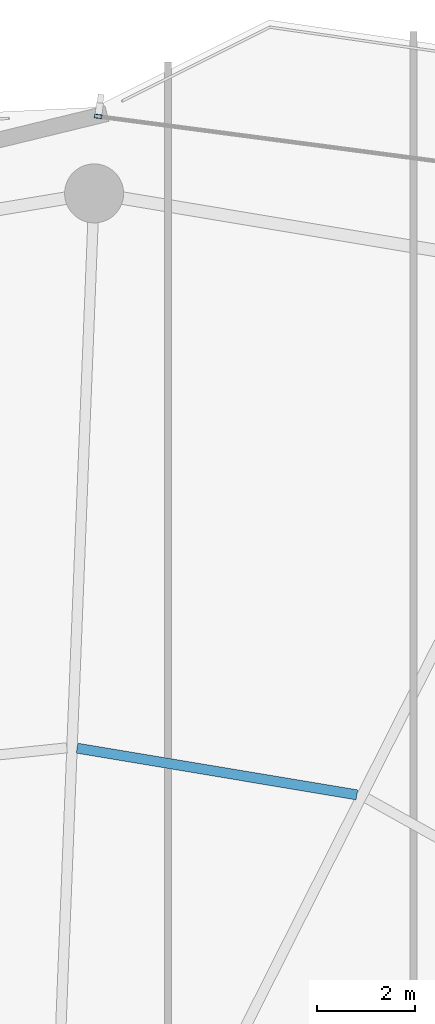
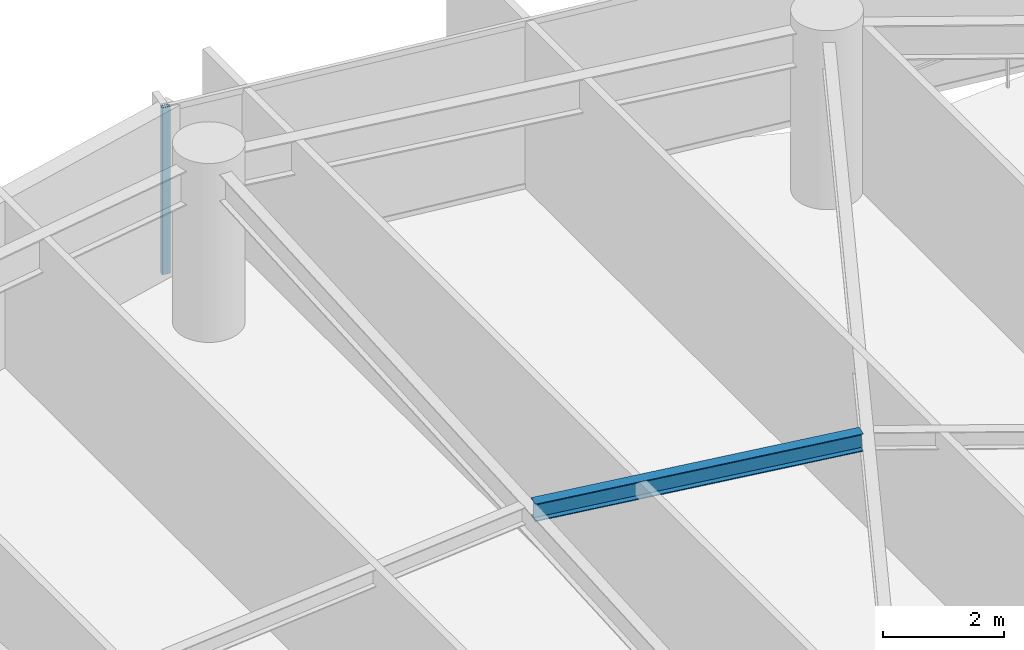
# One storey, part 20 of 30: 1 beam, 1 member, 1 element without a shape of its own.
"""IFC4 building model written with IfcOpenShell, lengths in metres."""

from ifc_helpers import new_model, si_unit, direction, frame, origin, origin_2d, place, context, subcontext, project, spatial, hollow_rectangle, i_section, extrude, material, layer, layer_set, material_profile, profile_set, type_object, element, aggregate, save


model = new_model("IFC4")

# Units and contexts
model_context = context("Model", 3, precision=1e-05, world=origin(), true_north=direction((0.0, 1.0)))
body_context = subcontext(model_context, "Body", "Model", "MODEL_VIEW")
ifc_project = project(units=[si_unit("LENGTHUNIT", "METRE"), si_unit("AREAUNIT", "SQUARE_METRE"), si_unit("VOLUMEUNIT", "CUBIC_METRE"), si_unit("PLANEANGLEUNIT", "RADIAN"), si_unit("MASSUNIT", "GRAM", prefix="KILO")], contexts=[model_context])

# Site, building, storey
site_placement = place(None, origin())
site = spatial("IfcSite", under=ifc_project, at=site_placement, CompositionType="ELEMENT")
building_placement = place(site_placement, origin())
building = spatial("IfcBuilding", under=site, at=building_placement, Name="Kazevale Care Tower and Concert Hall", CompositionType="ELEMENT")
storey_placement = place(building_placement, frame((0.0, 0.0, 131.39990234375)))
storey = spatial("IfcBuildingStorey", under=building, at=storey_placement, Name="L34", CompositionType="ELEMENT", Elevation=131.39990234375)

# Curtain wall, member
ifc_material_1 = material(Name="Aluminium 6063-T6 and Low-E Glass", Category="aluminium")
ifc_layer = layer(ifc_material_1, 0.179931640625)
ifc_layer_set = layer_set([ifc_layer], Name="Aluminium 6063-T6 and Low-E Glass")
curtain_wall_type = type_object("IfcCurtainWallType", Name="Convex Recessed Sunroom Curtain Wall CW-3", PredefinedType="NOTDEFINED", material=ifc_layer_set)
curtain_wall_placement = place(storey_placement, origin())
curtain_wall = element("IfcCurtainWall", 1, at=curtain_wall_placement, inside=storey, type_object=curtain_wall_type, Name="cw:L34:f16", PredefinedType="NOTDEFINED")
ifc_material_2 = material(Name="Aluminium 6063-T6", Category="aluminium")
ifc_material_profile_1 = material_profile(ifc_material_2, hollow_rectangle(XDim=0.074951171875, YDim=0.14990234375, WallThickness=0.00390625, at=origin_2d()), Name="ALU75x150x4")
ifc_profile_set_1 = profile_set([ifc_material_profile_1], Name="Aluminium 6063-T6")
member_type = type_object("IfcMemberType", Name="CW-3 Mullion ALU75x150x4", PredefinedType="MULLION", material=ifc_profile_set_1)
member_placement = place(storey_placement, frame((45.084228515625, 63.01708984375, 0.0), z_axis=(0.0, 0.0, 1.0), x_axis=(0.130822374277, 0.991405823257, 0.0)))
member = element("IfcMember", 2, at=member_placement, type_object=member_type, Name="CW-3 mullion 1", PredefinedType="MULLION", context=body_context, shape_type="SweptSolid", body=[
    extrude(hollow_rectangle(XDim=0.074951171875, YDim=0.14990234375, WallThickness=0.00390625, at=origin_2d()), origin(), (0.0, 0.0, 1.0), 3.360107421875),
])
aggregate(curtain_wall, [member])

# Beam
ifc_material_3 = material(Name="Steel ASTM A572 Gr 50", Category="steel")
ifc_material_profile_2 = material_profile(ifc_material_3, i_section(OverallWidth=0.205078125, OverallDepth=0.35400390625, WebThickness=0.009521484375, FlangeThickness=0.016845703125, at=origin_2d()), Name="W360x79")
ifc_profile_set_2 = profile_set([ifc_material_profile_2], Name="Steel ASTM A572 Gr 50")
beam_type = type_object("IfcBeamType", Name="Secondary Floor Joist W360x79", PredefinedType="JOIST", material=ifc_profile_set_2)
beam_placement = place(storey_placement, frame((50.347900390625, 49.2099609375, 3.18310546875), z_axis=(-0.986366476547, 0.164563586324, 0.0), x_axis=(-0.164563586324, -0.986366476547, 0.0)))
element("IfcBeam", 3, at=beam_placement, inside=storey, type_object=beam_type, Name="beam:L34:joist:04", PredefinedType="JOIST", context=body_context, shape_type="SweptSolid", body=[
    extrude(i_section(OverallWidth=0.205078125, OverallDepth=0.35400390625, WebThickness=0.009521484375, FlangeThickness=0.016845703125, at=origin_2d()), origin(), (0.0, 0.0, 1.0), 5.7724609375),
])

save(model, "model.ifc")
